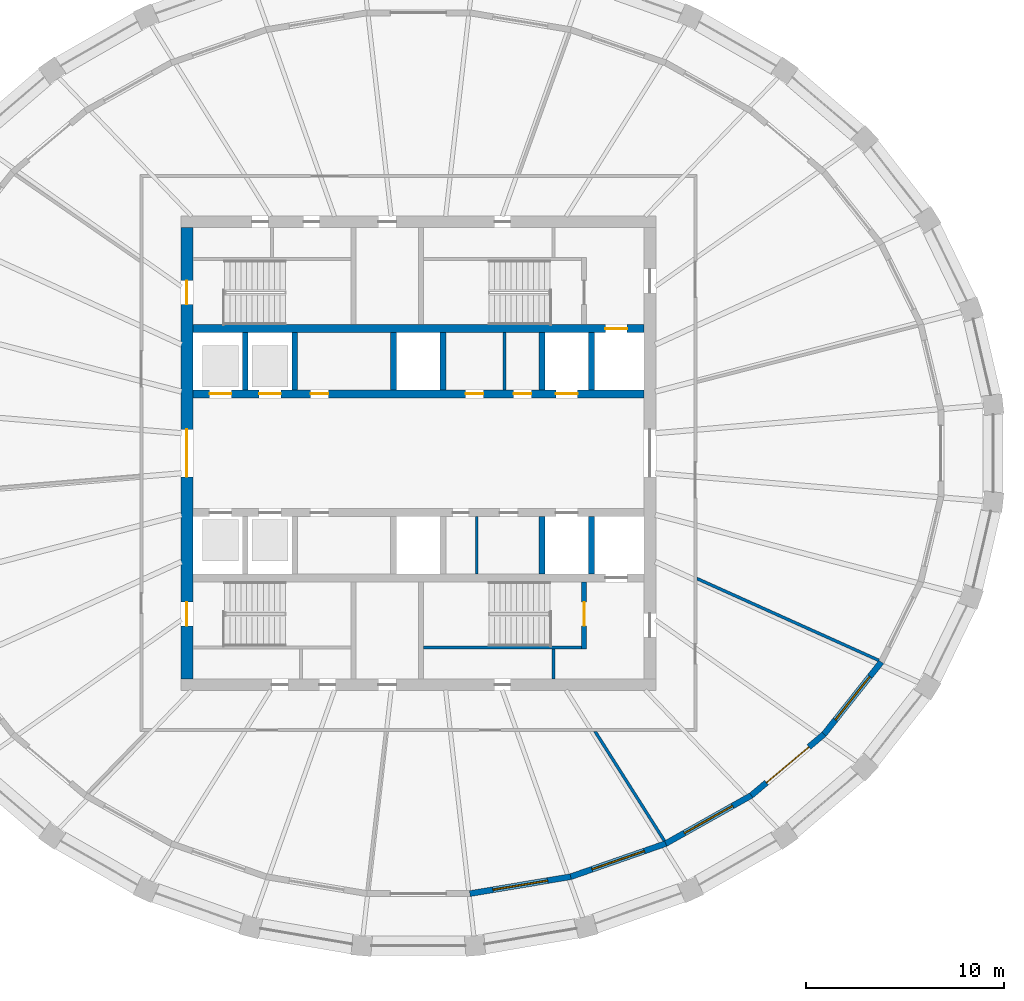
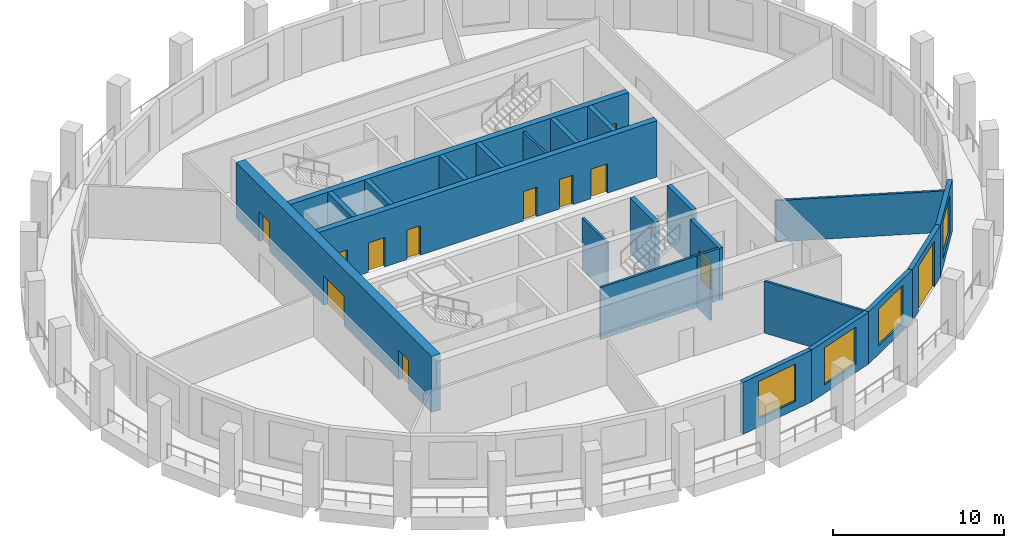
# One storey, part 4 of 10: 23 walls, 12 doors, 4 windows, 16 openings.
"""IFC4 building model written with IfcOpenShell, lengths in metres."""

from ifc_helpers import new_model, si_unit, direction, frame, frame_2d, origin, place, context, subcontext, project, spatial, polyline, rectangle, outline, extrude, material, layer, layer_set, type_object, element, fill, save


model = new_model("IFC4")

# Units and contexts
model_context = context("Model", 3, precision=1e-05, world=origin(), true_north=direction((0.0, 1.0)))
body_context = subcontext(model_context, "Body", "Model", "MODEL_VIEW")
ifc_project = project(units=[si_unit("LENGTHUNIT", "METRE"), si_unit("AREAUNIT", "SQUARE_METRE"), si_unit("VOLUMEUNIT", "CUBIC_METRE"), si_unit("PLANEANGLEUNIT", "RADIAN"), si_unit("MASSUNIT", "GRAM", prefix="KILO")], contexts=[model_context])

# Site, building, storey
site_placement = place(None, origin())
site = spatial("IfcSite", under=ifc_project, at=site_placement, CompositionType="ELEMENT")
building_placement = place(site_placement, origin())
building = spatial("IfcBuilding", under=site, at=building_placement, Name="Halqa Exchange Tower", CompositionType="ELEMENT")
storey_placement = place(building_placement, frame((0.0, 0.0, 292.300048828125)))
storey = spatial("IfcBuildingStorey", under=building, at=storey_placement, Name="L68", CompositionType="ELEMENT", Elevation=292.300048828125)

# Walls
ifc_material_1 = material(Name="Fire-rated gypsum board")
ifc_layer_1 = layer(ifc_material_1, 0.14990234375)
ifc_layer_set_1 = layer_set([ifc_layer_1], Name="Fire-rated gypsum board")
wall_type_1 = type_object("IfcWallType", Name="Fire partition EI 60 150", PredefinedType="PARTITIONING", material=ifc_layer_set_1)
wall_1_placement = place(storey_placement, frame((8.912109375, -14.034912109375, 0.0), z_axis=(0.0, 0.0, 1.0), x_axis=(0.535569757711, -0.844490991442, 0.0)))
element("IfcWall", 1, at=wall_1_placement, inside=storey, type_object=wall_type_1, Name="L68-PWL-009", PredefinedType="PARTITIONING", context=body_context, shape_type="SweptSolid", body=[
    extrude(outline(polyline([(0.0, -0.074951171875), (1.640869140625, -0.074951171875), (3.281494140625, -0.074951171875), (4.92236328125, -0.074951171875), (6.563232421875, -0.074951171875), (6.580810546875, 0.0009765625), (6.584716796875, 0.0732421875), (6.584716796875, 0.074951171875), (4.96240234375, 0.074951171875), (3.33984375, 0.074951171875), (1.717529296875, 0.074951171875), (0.094970703125, 0.074951171875), (0.0, -0.074951171875), (0.0, -0.074951171875)])), origin(), (0.0, 0.0, 1.0), 3.699951171875),
])
wall_2_placement = place(storey_placement, frame((14.044677734375, -6.320068359375, 0.0), z_axis=(0.0, 0.0, 1.0), x_axis=(0.912030730905, -0.410121867114, 0.0)))
element("IfcWall", 2, at=wall_2_placement, inside=storey, type_object=wall_type_1, Name="L68-PWL-011", PredefinedType="PARTITIONING", context=body_context, shape_type="SweptSolid", body=[
    extrude(outline(polyline([(0.06689453125, -0.074951171875), (1.73876953125, -0.074951171875), (3.410400390625, -0.074951171875), (5.082275390625, -0.074951171875), (6.75390625, -0.074951171875), (8.42578125, -0.074951171875), (10.097412109375, -0.074951171875), (10.115478515625, -0.003662109375), (10.1181640625, 0.072998046875), (10.1181640625, 0.074951171875), (8.431884765625, 0.074951171875), (6.745361328125, 0.074951171875), (5.05908203125, 0.074951171875), (3.372802734375, 0.074951171875), (1.686279296875, 0.074951171875), (0.0, 0.074951171875), (0.0, 0.073974609375), (0.06689453125, -0.074951171875)])), origin(), (0.0, 0.0, 1.0), 2.947021484375),
])
ifc_material_2 = material(Name="Gypsum board")
ifc_layer_2 = layer(ifc_material_2, 0.14990234375)
ifc_layer_set_2 = layer_set([ifc_layer_2], Name="Gypsum board")
wall_type_2 = type_object("IfcWallType", Name="Penthouse riser wall 150 gypsum", PredefinedType="PARTITIONING", material=ifc_layer_set_2)
wall_3_placement = place(storey_placement, frame((6.824951171875, -11.39990234375, 0.0), z_axis=(0.0, 0.0, 1.0), x_axis=(0.0, 1.0, 0.0)))
element("IfcWall", 3, at=wall_3_placement, inside=storey, type_object=wall_type_2, Name="Firefighting lobby west wall S", PredefinedType="PARTITIONING", context=body_context, shape_type="SweptSolid", body=[
    extrude(rectangle(XDim=1.5, YDim=0.14990234375, at=frame_2d((0.75, 0.0))), origin(), (0.0, 0.0, 1.0), 3.699951171875),
])
for number, where, z_axis, x_axis, name in (
    (4, (4.35009765625, 3.199951171875, 0.0), (0.0, 0.0, 1.0), (0.0, 1.0, 0.0), "Freed bay partition NE4.350"),
    (5, (2.949951171875, -6.10009765625, 0.0), (0.0, 0.0, 1.0), (0.0, 1.0, 0.0), "Freed bay partition SE2.950"),
):
    element("IfcWall", number, at=place(storey_placement, frame(where, z_axis=z_axis, x_axis=x_axis)), inside=storey, type_object=wall_type_2, Name=name, PredefinedType="PARTITIONING", context=body_context, shape_type="SweptSolid", body=[
        extrude(rectangle(XDim=2.900146484375, YDim=0.14990234375, at=frame_2d((1.4501953125, 0.0))), origin(), (0.0, 0.0, 1.0), 3.699951171875),
    ])
ifc_material_3 = material(Name="Concrete C60/75", Category="concrete")
ifc_layer_3 = layer(ifc_material_3, 0.300048828125)
ifc_layer_set_3 = layer_set([ifc_layer_3], Name="Concrete C60/75")
wall_type_3 = type_object("IfcWallType", Name="RC core wall 300", PredefinedType="SHEAR", material=ifc_layer_set_3)
for number, where, z_axis, x_axis, name in (
    (6, (-8.75, 3.199951171875, 0.0), (0.0, 0.0, 1.0), (0.0, 1.0, 0.0), "Shaft divider N1"),
    (7, (-6.25, 3.199951171875, 0.0), (0.0, 0.0, 1.0), (0.0, 1.0, 0.0), "Shaft divider N2"),
    (8, (-1.25, 3.199951171875, 0.0), (0.0, 0.0, 1.0), (0.0, 1.0, 0.0), "Shaft divider N4"),
    (9, (1.25, 3.199951171875, 0.0), (0.0, 0.0, 1.0), (0.0, 1.0, 0.0), "Shaft divider N5"),
    (10, (6.25, 3.199951171875, 0.0), (0.0, 0.0, 1.0), (0.0, 1.0, 0.0), "Shaft divider N7"),
    (11, (8.75, 3.199951171875, 0.0), (0.0, 0.0, 1.0), (0.0, 1.0, 0.0), "Shaft divider N8"),
    (12, (6.25, -6.10009765625, 0.0), (0.0, 0.0, 1.0), (0.0, 1.0, 0.0), "Shaft divider S7"),
    (13, (8.75, -6.10009765625, 0.0), (0.0, 0.0, 1.0), (0.0, 1.0, 0.0), "Shaft divider S8"),
):
    element("IfcWall", number, at=place(storey_placement, frame(where, z_axis=z_axis, x_axis=x_axis)), inside=storey, type_object=wall_type_3, Name=name, PredefinedType="SHEAR", context=body_context, shape_type="SweptSolid", body=[
        extrude(rectangle(XDim=2.900146484375, YDim=0.300048828125, at=frame_2d((1.4501953125, 0.0))), origin(), (0.0, 0.0, 1.0), 4.0),
    ])

# Wall, openings, doors
ifc_layer_4 = layer(ifc_material_3, 0.39990234375)
ifc_layer_set_4 = layer_set([ifc_layer_4], Name="Concrete C60/75")
wall_type_4 = type_object("IfcWallType", Name="RC core wall 400 C60/75", PredefinedType="SHEAR", material=ifc_layer_set_4)
wall_4_placement = place(storey_placement, frame((-11.39990234375, 3.0, 0.0), z_axis=(0.0, 0.0, 1.0), x_axis=(1.0, 0.0, 0.0)))
wall_4 = element("IfcWall", 14, at=wall_4_placement, inside=storey, type_object=wall_type_4, Name="Lift row front wall N", PredefinedType="SHEAR", context=body_context, shape_type="SweptSolid", body=[
    extrude(rectangle(XDim=22.7998046875, YDim=0.39990234375, at=frame_2d((11.39990234375, 0.0))), origin(), (0.0, 0.0, 1.0), 4.0),
])
opening_1_placement = place(wall_4_placement, frame((0.85009765625, 0.0, 0.0)))
opening_1 = element("IfcOpeningElement", 15, at=opening_1_placement, cuts=wall_4, Name="Opening LD-HR1-T21", PredefinedType="OPENING", context=body_context, shape_type="SweptSolid", body=[
    extrude(rectangle(XDim=1.10009765625, YDim=2.10009765625, at=frame_2d((0.550048828125, 1.050048828125))), frame((0.0, 0.2119140625, 0.0), z_axis=(0.0, -1.0, 0.0), x_axis=(1.0, 0.0, 0.0)), (0.0, 0.0, 1.0), 0.423828125),
])
opening_2_placement = place(wall_4_placement, frame((3.35009765625, 0.0, 0.0)))
opening_2 = element("IfcOpeningElement", 16, at=opening_2_placement, cuts=wall_4, Name="Opening LD-HR2-T21", PredefinedType="OPENING", context=body_context, shape_type="SweptSolid", body=[
    extrude(rectangle(XDim=1.10009765625, YDim=2.10009765625, at=frame_2d((0.550048828125, 1.050048828125))), frame((0.0, 0.2119140625, 0.0), z_axis=(0.0, -1.0, 0.0), x_axis=(1.0, 0.0, 0.0)), (0.0, 0.0, 1.0), 0.423828125),
])
opening_3_placement = place(wall_4_placement, frame((18.35009765625, 0.0, 0.0)))
opening_3 = element("IfcOpeningElement", 17, at=opening_3_placement, cuts=wall_4, Name="Opening LD-SV1-T21", PredefinedType="OPENING", context=body_context, shape_type="SweptSolid", body=[
    extrude(rectangle(XDim=1.10009765625, YDim=2.10009765625, at=frame_2d((0.550048828125, 1.050048828125))), frame((0.0, 0.2119140625, 0.0), z_axis=(0.0, -1.0, 0.0), x_axis=(1.0, 0.0, 0.0)), (0.0, 0.0, 1.0), 0.423828125),
])
opening_4_placement = place(wall_4_placement, frame((13.78759765625, 0.0, 0.0)))
opening_4 = element("IfcOpeningElement", 18, at=opening_4_placement, cuts=wall_4, Name="Opening T21-C25", PredefinedType="OPENING", context=body_context, shape_type="SweptSolid", body=[
    extrude(rectangle(XDim=0.89990234375, YDim=2.10009765625, at=frame_2d((0.449951171875, 1.050048828125))), frame((0.0, 0.2119140625, 0.0), z_axis=(0.0, -1.0, 0.0), x_axis=(1.0, 0.0, 0.0)), (0.0, 0.0, 1.0), 0.423828125),
])
opening_5_placement = place(wall_4_placement, frame((16.21240234375, 0.0, 0.0)))
opening_5 = element("IfcOpeningElement", 19, at=opening_5_placement, cuts=wall_4, Name="Opening T21-C26", PredefinedType="OPENING", context=body_context, shape_type="SweptSolid", body=[
    extrude(rectangle(XDim=0.89990234375, YDim=2.10009765625, at=frame_2d((0.449951171875, 1.050048828125))), frame((0.0, 0.2119140625, 0.0), z_axis=(0.0, -1.0, 0.0), x_axis=(1.0, 0.0, 0.0)), (0.0, 0.0, 1.0), 0.423828125),
])
opening_6_placement = place(wall_4_placement, frame((5.949951171875, 0.0, 0.0)))
opening_6 = element("IfcOpeningElement", 20, at=opening_6_placement, cuts=wall_4, Name="Opening T21-C27", PredefinedType="OPENING", context=body_context, shape_type="SweptSolid", body=[
    extrude(rectangle(XDim=0.89990234375, YDim=2.10009765625, at=frame_2d((0.449951171875, 1.050048828125))), frame((0.0, 0.2119140625, 0.0), z_axis=(0.0, -1.0, 0.0), x_axis=(1.0, 0.0, 0.0)), (0.0, 0.0, 1.0), 0.423828125),
])
ifc_material_4 = material(Name="Timber fire door leaf", Category="wood")
door_type_1 = type_object("IfcDoorType", Name="Core room door FD30 900 x 2100", OperationType="SINGLE_SWING_LEFT", PredefinedType="DOOR", material=ifc_material_4)
door_1_placement = place(opening_4_placement, origin())
door_1 = element("IfcDoor", 21, at=door_1_placement, inside=storey, type_object=door_type_1, Name="Core room door", OperationType="SINGLE_SWING_RIGHT", OverallHeight=2.10009765625, OverallWidth=0.89990234375, PredefinedType="DOOR", context=body_context, shape_type="SweptSolid", body=[
    extrude(rectangle(XDim=0.89990234375, YDim=2.10009765625, at=frame_2d((0.449951171875, 1.050048828125))), frame((0.0, 0.02490234375, 0.0), z_axis=(0.0, -1.0, 0.0), x_axis=(1.0, 0.0, 0.0)), (0.0, 0.0, 1.0), 0.050048828125),
])
fill(opening_4, door_1)
door_2_placement = place(opening_5_placement, origin())
door_2 = element("IfcDoor", 22, at=door_2_placement, inside=storey, type_object=door_type_1, Name="Core room door", OperationType="SINGLE_SWING_RIGHT", OverallHeight=2.10009765625, OverallWidth=0.89990234375, PredefinedType="DOOR", context=body_context, shape_type="SweptSolid", body=[
    extrude(rectangle(XDim=0.89990234375, YDim=2.10009765625, at=frame_2d((0.449951171875, 1.050048828125))), frame((0.0, 0.02490234375, 0.0), z_axis=(0.0, -1.0, 0.0), x_axis=(1.0, 0.0, 0.0)), (0.0, 0.0, 1.0), 0.050048828125),
])
fill(opening_5, door_2)
door_3_placement = place(opening_6_placement, origin())
door_3 = element("IfcDoor", 23, at=door_3_placement, inside=storey, type_object=door_type_1, Name="Core room door", OperationType="SINGLE_SWING_RIGHT", OverallHeight=2.10009765625, OverallWidth=0.89990234375, PredefinedType="DOOR", context=body_context, shape_type="SweptSolid", body=[
    extrude(rectangle(XDim=0.89990234375, YDim=2.10009765625, at=frame_2d((0.449951171875, 1.050048828125))), frame((0.0, 0.02490234375, 0.0), z_axis=(0.0, -1.0, 0.0), x_axis=(1.0, 0.0, 0.0)), (0.0, 0.0, 1.0), 0.050048828125),
])
fill(opening_6, door_3)
ifc_material_5 = material(Name="Stainless steel", Category="steel")
door_type_2 = type_object("IfcDoorType", Name="Lift landing door 1100 x 2100", OperationType="SLIDING_TO_LEFT", PredefinedType="DOOR", material=ifc_material_5)
door_4_placement = place(opening_1_placement, origin())
door_4 = element("IfcDoor", 24, at=door_4_placement, inside=storey, type_object=door_type_2, Name="Lift landing door HR1", OperationType="SLIDING_TO_LEFT", OverallHeight=2.10009765625, OverallWidth=1.10009765625, PredefinedType="DOOR", context=body_context, shape_type="SweptSolid", body=[
    extrude(rectangle(XDim=1.10009765625, YDim=2.10009765625, at=frame_2d((0.550048828125, 1.050048828125))), frame((0.0, 0.02490234375, 0.0), z_axis=(0.0, -1.0, 0.0), x_axis=(1.0, 0.0, 0.0)), (0.0, 0.0, 1.0), 0.050048828125),
])
fill(opening_1, door_4)
door_5_placement = place(opening_2_placement, origin())
door_5 = element("IfcDoor", 25, at=door_5_placement, inside=storey, type_object=door_type_2, Name="Lift landing door HR2", OperationType="SLIDING_TO_LEFT", OverallHeight=2.10009765625, OverallWidth=1.10009765625, PredefinedType="DOOR", context=body_context, shape_type="SweptSolid", body=[
    extrude(rectangle(XDim=1.10009765625, YDim=2.10009765625, at=frame_2d((0.550048828125, 1.050048828125))), frame((0.0, 0.02490234375, 0.0), z_axis=(0.0, -1.0, 0.0), x_axis=(1.0, 0.0, 0.0)), (0.0, 0.0, 1.0), 0.050048828125),
])
fill(opening_2, door_5)
door_6_placement = place(opening_3_placement, origin())
door_6 = element("IfcDoor", 26, at=door_6_placement, inside=storey, type_object=door_type_2, Name="Lift landing door SV1", OperationType="SLIDING_TO_LEFT", OverallHeight=2.10009765625, OverallWidth=1.10009765625, PredefinedType="DOOR", context=body_context, shape_type="SweptSolid", body=[
    extrude(rectangle(XDim=1.10009765625, YDim=2.10009765625, at=frame_2d((0.550048828125, 1.050048828125))), frame((0.0, 0.02490234375, 0.0), z_axis=(0.0, -1.0, 0.0), x_axis=(1.0, 0.0, 0.0)), (0.0, 0.0, 1.0), 0.050048828125),
])
fill(opening_3, door_6)

# Wall, opening, door
wall_5_placement = place(storey_placement, frame((-11.39990234375, 6.300048828125, 0.0), z_axis=(0.0, 0.0, 1.0), x_axis=(1.0, 0.0, 0.0)))
wall_5 = element("IfcWall", 27, at=wall_5_placement, inside=storey, type_object=wall_type_4, Name="Lift row back wall N", PredefinedType="SHEAR", context=body_context, shape_type="SweptSolid", body=[
    extrude(rectangle(XDim=22.7998046875, YDim=0.39990234375, at=frame_2d((11.39990234375, 0.0))), origin(), (0.0, 0.0, 1.0), 4.0),
])
opening_7_placement = place(wall_5_placement, frame((20.85009765625, 0.0, 0.0)))
opening_7 = element("IfcOpeningElement", 28, at=opening_7_placement, cuts=wall_5, Name="Opening LD-FF1-T21", PredefinedType="OPENING", context=body_context, shape_type="SweptSolid", body=[
    extrude(rectangle(XDim=1.10009765625, YDim=2.10009765625, at=frame_2d((0.550048828125, 1.050048828125))), frame((0.0, 0.2119140625, 0.0), z_axis=(0.0, -1.0, 0.0), x_axis=(1.0, 0.0, 0.0)), (0.0, 0.0, 1.0), 0.423828125),
])
door_7_placement = place(opening_7_placement, origin())
door_7 = element("IfcDoor", 29, at=door_7_placement, inside=storey, type_object=door_type_2, Name="Lift landing door FF1", OperationType="SLIDING_TO_LEFT", OverallHeight=2.10009765625, OverallWidth=1.10009765625, PredefinedType="DOOR", context=body_context, shape_type="SweptSolid", body=[
    extrude(rectangle(XDim=1.10009765625, YDim=2.10009765625, at=frame_2d((0.550048828125, 1.050048828125))), frame((0.0, 0.02490234375, 0.0), z_axis=(0.0, -1.0, 0.0), x_axis=(1.0, 0.0, 0.0)), (0.0, 0.0, 1.0), 0.050048828125),
])
fill(opening_7, door_7)

# Wall, openings, doors
ifc_layer_5 = layer(ifc_material_3, 0.60009765625)
ifc_layer_set_5 = layer_set([ifc_layer_5], Name="Concrete C60/75")
wall_type_5 = type_object("IfcWallType", Name="RC core wall 600 C60/75", PredefinedType="SHEAR", material=ifc_layer_set_5)
wall_6_placement = place(storey_placement, frame((-11.699951171875, -11.39990234375, 0.0), z_axis=(0.0, 0.0, 1.0), x_axis=(0.0, 1.0, 0.0)))
wall_6 = element("IfcWall", 30, at=wall_6_placement, inside=storey, type_object=wall_type_5, Name="Core wall west", PredefinedType="SHEAR", context=body_context, shape_type="SweptSolid", body=[
    extrude(rectangle(XDim=22.7998046875, YDim=0.60009765625, at=frame_2d((11.39990234375, 0.0))), origin(), (0.0, 0.0, 1.0), 4.0),
])
opening_8_placement = place(wall_6_placement, frame((10.199951171875, 0.0, 0.0)))
opening_8 = element("IfcOpeningElement", 31, at=opening_8_placement, cuts=wall_6, Name="Opening T21-C09", PredefinedType="OPENING", context=body_context, shape_type="SweptSolid", body=[
    extrude(rectangle(XDim=2.39990234375, YDim=2.10009765625, at=frame_2d((1.199951171875, 1.050048828125))), frame((0.0, 0.31201171875, 0.0), z_axis=(0.0, -1.0, 0.0), x_axis=(1.0, 0.0, 0.0)), (0.0, 0.0, 1.0), 0.6240234375),
])
opening_9_placement = place(wall_6_placement, frame((18.925048828125, 0.0, 0.0)))
opening_9 = element("IfcOpeningElement", 32, at=opening_9_placement, cuts=wall_6, Name="Opening T21-C11", PredefinedType="OPENING", context=body_context, shape_type="SweptSolid", body=[
    extrude(rectangle(XDim=1.199951171875, YDim=2.10009765625, at=frame_2d((0.60009765625, 1.050048828125))), frame((0.0, 0.31201171875, 0.0), z_axis=(0.0, -1.0, 0.0), x_axis=(1.0, 0.0, 0.0)), (0.0, 0.0, 1.0), 0.6240234375),
])
opening_10_placement = place(wall_6_placement, frame((2.675048828125, 0.0, 0.0)))
opening_10 = element("IfcOpeningElement", 33, at=opening_10_placement, cuts=wall_6, Name="Opening T21-C13", PredefinedType="OPENING", context=body_context, shape_type="SweptSolid", body=[
    extrude(rectangle(XDim=1.199951171875, YDim=2.10009765625, at=frame_2d((0.60009765625, 1.050048828125))), frame((0.0, 0.31201171875, 0.0), z_axis=(0.0, -1.0, 0.0), x_axis=(1.0, 0.0, 0.0)), (0.0, 0.0, 1.0), 0.6240234375),
])
ifc_material_6 = material(Name="Steel fire door leaf", Category="steel")
door_type_3 = type_object("IfcDoorType", Name="Lobby double door FD60 2400 x 2100", OperationType="DOUBLE_DOOR_SINGLE_SWING", PredefinedType="DOOR", material=ifc_material_6)
door_8_placement = place(opening_8_placement, frame((2.39990234375, 0.0, 0.0), z_axis=(0.0, 0.0, 1.0), x_axis=(-1.0, 0.0, 0.0)))
door_8 = element("IfcDoor", 34, at=door_8_placement, inside=storey, type_object=door_type_3, Name="Lift lobby double door", OperationType="DOUBLE_DOOR_SINGLE_SWING", OverallHeight=2.10009765625, OverallWidth=2.39990234375, PredefinedType="DOOR", context=body_context, shape_type="SweptSolid", body=[
    extrude(rectangle(XDim=2.39990234375, YDim=2.10009765625, at=frame_2d((1.199951171875, 1.050048828125))), frame((0.0, 0.02490234375, 0.0), z_axis=(0.0, -1.0, 0.0), x_axis=(1.0, 0.0, 0.0)), (0.0, 0.0, 1.0), 0.050048828125),
])
fill(opening_8, door_8)
door_type_4 = type_object("IfcDoorType", Name="Stair door FD90 1200 x 2100", OperationType="SINGLE_SWING_LEFT", PredefinedType="DOOR", material=ifc_material_6)
door_9_placement = place(opening_9_placement, frame((1.199951171875, 0.0, 0.0), z_axis=(0.0, 0.0, 1.0), x_axis=(-1.0, 0.0, 0.0)))
door_9 = element("IfcDoor", 35, at=door_9_placement, inside=storey, type_object=door_type_4, Name="Stair door ST1", OperationType="SINGLE_SWING_LEFT", OverallHeight=2.10009765625, OverallWidth=1.199951171875, PredefinedType="DOOR", context=body_context, shape_type="SweptSolid", body=[
    extrude(rectangle(XDim=1.199951171875, YDim=2.10009765625, at=frame_2d((0.60009765625, 1.050048828125))), frame((0.0, 0.02490234375, 0.0), z_axis=(0.0, -1.0, 0.0), x_axis=(1.0, 0.0, 0.0)), (0.0, 0.0, 1.0), 0.050048828125),
])
fill(opening_9, door_9)
door_10_placement = place(opening_10_placement, frame((1.199951171875, 0.0, 0.0), z_axis=(0.0, 0.0, 1.0), x_axis=(-1.0, 0.0, 0.0)))
door_10 = element("IfcDoor", 36, at=door_10_placement, inside=storey, type_object=door_type_4, Name="Stair door ST3", OperationType="SINGLE_SWING_LEFT", OverallHeight=2.10009765625, OverallWidth=1.199951171875, PredefinedType="DOOR", context=body_context, shape_type="SweptSolid", body=[
    extrude(rectangle(XDim=1.199951171875, YDim=2.10009765625, at=frame_2d((0.60009765625, 1.050048828125))), frame((0.0, 0.02490234375, 0.0), z_axis=(0.0, -1.0, 0.0), x_axis=(1.0, 0.0, 0.0)), (0.0, 0.0, 1.0), 0.050048828125),
])
fill(opening_10, door_10)

# Wall
ifc_material_7 = material(Name="Concrete C30/37", Category="concrete")
ifc_layer_6 = layer(ifc_material_7, 0.14990234375)
ifc_layer_set_6 = layer_set([ifc_layer_6], Name="Concrete C30/37")
wall_type_6 = type_object("IfcWallType", Name="RC stair wall 150 C30/37", PredefinedType="SHEAR", material=ifc_layer_set_6)
wall_7_placement = place(storey_placement, frame((0.25, -9.824951171875, 0.0), z_axis=(0.0, 0.0, 1.0), x_axis=(1.0, 0.0, 0.0)))
element("IfcWall", 37, at=wall_7_placement, inside=storey, type_object=wall_type_6, Name="Stair ST2 north wall S", PredefinedType="SHEAR", context=body_context, shape_type="SweptSolid", body=[
    extrude(rectangle(XDim=8.0, YDim=0.14990234375, at=frame_2d((4.0, 0.0))), origin(), (0.0, 0.0, 1.0), 3.699951171875),
])

# Wall, opening, door
ifc_layer_7 = layer(ifc_material_7, 0.25)
ifc_layer_set_7 = layer_set([ifc_layer_7], Name="Concrete C30/37")
wall_type_7 = type_object("IfcWallType", Name="RC stair wall 250 C30/37", PredefinedType="SHEAR", material=ifc_layer_set_7)
wall_8_placement = place(storey_placement, frame((8.375, -9.89990234375, 0.0), z_axis=(0.0, 0.0, 1.0), x_axis=(0.0, 1.0, 0.0)))
wall_8 = element("IfcWall", 38, at=wall_8_placement, inside=storey, type_object=wall_type_7, Name="Stair ST2 east wall S", PredefinedType="SHEAR", context=body_context, shape_type="SweptSolid", body=[
    extrude(rectangle(XDim=3.39990234375, YDim=0.25, at=frame_2d((1.699951171875, 0.0))), origin(), (0.0, 0.0, 1.0), 3.699951171875),
])
opening_11_placement = place(wall_8_placement, frame((1.175048828125, 0.0, 0.0)))
opening_11 = element("IfcOpeningElement", 39, at=opening_11_placement, cuts=wall_8, Name="Opening T21-C14", PredefinedType="OPENING", context=body_context, shape_type="SweptSolid", body=[
    extrude(rectangle(XDim=1.199951171875, YDim=2.10009765625, at=frame_2d((0.60009765625, 1.050048828125))), frame((0.0, 0.136962890625, 0.0), z_axis=(0.0, -1.0, 0.0), x_axis=(1.0, 0.0, 0.0)), (0.0, 0.0, 1.0), 0.27392578125),
])
door_11_placement = place(opening_11_placement, origin())
door_11 = element("IfcDoor", 40, at=door_11_placement, inside=storey, type_object=door_type_4, Name="Stair door ST4", OperationType="SINGLE_SWING_LEFT", OverallHeight=2.10009765625, OverallWidth=1.199951171875, PredefinedType="DOOR", context=body_context, shape_type="SweptSolid", body=[
    extrude(rectangle(XDim=1.199951171875, YDim=2.10009765625, at=frame_2d((0.60009765625, 1.050048828125))), frame((0.0, 0.02490234375, 0.0), z_axis=(0.0, -1.0, 0.0), x_axis=(1.0, 0.0, 0.0)), (0.0, 0.0, 1.0), 0.050048828125),
])
fill(opening_11, door_11)

# Wall, opening, window
ifc_material_8 = material(Name="Limestone cladding", Category="masonry")
ifc_layer_8 = layer(ifc_material_8, 0.0400390625)
ifc_material_9 = material(Name="Ventilated cavity")
ifc_layer_9 = layer(ifc_material_9, 0.030029296875, ventilated=True)
ifc_material_10 = material(Name="Mineral wool insulation")
ifc_layer_10 = layer(ifc_material_10, 0.10009765625)
ifc_layer_11 = layer(ifc_material_7, 0.10009765625)
ifc_material_11 = material(Name="Internal plaster")
ifc_layer_12 = layer(ifc_material_11, 0.030029296875)
ifc_layer_set_8 = layer_set([ifc_layer_8, ifc_layer_9, ifc_layer_10, ifc_layer_11, ifc_layer_12], Name="Stone-faced insulated wall 300")
wall_type_8 = type_object("IfcWallType", Name="Stone-faced insulated wall 300", PredefinedType="STANDARD", material=ifc_layer_set_8)
wall_9_placement = place(storey_placement, frame((2.5986328125, -22.258056640625, 0.0), z_axis=(0.0, 0.0, 1.0), x_axis=(0.986263399459, 0.165180225475, 0.0)))
wall_9 = element("IfcWall", 41, at=wall_9_placement, inside=storey, type_object=wall_type_8, Name="Glass-line wall 25", PredefinedType="STANDARD", context=body_context, shape_type="SweptSolid", body=[
    extrude(outline(polyline([(-0.012451171875, -0.14990234375), (5.181396484375, -0.14990234375), (5.156005859375, 0.14990234375), (0.012451171875, 0.14990234375), (-0.012451171875, -0.14990234375)])), origin(), (0.0, 0.0, 1.0), 3.699951171875),
])
opening_12_placement = place(wall_9_placement, frame((1.184326171875, 0.0, 0.60009765625)))
opening_12 = element("IfcOpeningElement", 42, at=opening_12_placement, cuts=wall_9, Name="Opening W-F4-25", PredefinedType="OPENING", context=body_context, shape_type="SweptSolid", body=[
    extrude(rectangle(XDim=2.800048828125, YDim=2.64990234375, at=frame_2d((1.39990234375, 1.324951171875))), frame((0.0, 0.162109375, 0.0), z_axis=(0.0, -1.0, 0.0), x_axis=(1.0, 0.0, 0.0)), (0.0, 0.0, 1.0), 0.323974609375),
])
ifc_material_12 = material(Name="Clear low-emissivity glass in aluminium frame", Category="aluminium")
window_type = type_object("IfcWindowType", Name="Fixed clear glazed window 2800 x 2650", PartitioningType="DOUBLE_PANEL_VERTICAL", PredefinedType="WINDOW", material=ifc_material_12)
window_1_placement = place(opening_12_placement, origin())
window_1 = element("IfcWindow", 43, at=window_1_placement, inside=storey, type_object=window_type, Name="Window 4", OverallHeight=2.64990234375, OverallWidth=2.800048828125, PartitioningType="DOUBLE_PANEL_VERTICAL", PredefinedType="WINDOW", context=body_context, shape_type="SweptSolid", body=[
    extrude(rectangle(XDim=2.800048828125, YDim=2.64990234375, at=frame_2d((1.39990234375, 1.324951171875))), frame((0.0, 0.030029296875, 0.0), z_axis=(0.0, -1.0, 0.0), x_axis=(1.0, 0.0, 0.0)), (0.0, 0.0, 1.0), 0.06005859375),
])
fill(opening_12, window_1)

wall_10_placement = place(storey_placement, frame((7.6962890625, -21.404296875, 0.0), z_axis=(0.0, 0.0, 1.0), x_axis=(0.944230376095, 0.329285585564, 0.0)))
wall_10 = element("IfcWall", 44, at=wall_10_placement, inside=storey, type_object=wall_type_8, Name="Glass-line wall 26", PredefinedType="STANDARD", context=body_context, shape_type="SweptSolid", body=[
    extrude(outline(polyline([(-0.0126953125, -0.14990234375), (5.100341796875, -0.14990234375), (5.073486328125, 0.14990234375), (0.0126953125, 0.14990234375), (-0.0126953125, -0.14990234375)])), origin(), (0.0, 0.0, 1.0), 3.699951171875),
])
opening_13_placement = place(wall_10_placement, frame((1.143310546875, 0.0, 0.60009765625)))
opening_13 = element("IfcOpeningElement", 45, at=opening_13_placement, cuts=wall_10, Name="Opening W-F4-26", PredefinedType="OPENING", context=body_context, shape_type="SweptSolid", body=[
    extrude(rectangle(XDim=2.800048828125, YDim=2.64990234375, at=frame_2d((1.39990234375, 1.324951171875))), frame((0.0, 0.162109375, 0.0), z_axis=(0.0, -1.0, 0.0), x_axis=(1.0, 0.0, 0.0)), (0.0, 0.0, 1.0), 0.323974609375),
])
window_2_placement = place(opening_13_placement, origin())
window_2 = element("IfcWindow", 46, at=window_2_placement, inside=storey, type_object=window_type, Name="Window 4", OverallHeight=2.64990234375, OverallWidth=2.800048828125, PartitioningType="DOUBLE_PANEL_VERTICAL", PredefinedType="WINDOW", context=body_context, shape_type="SweptSolid", body=[
    extrude(rectangle(XDim=2.800048828125, YDim=2.64990234375, at=frame_2d((1.39990234375, 1.324951171875))), frame((0.0, 0.030029296875, 0.0), z_axis=(0.0, -1.0, 0.0), x_axis=(1.0, 0.0, 0.0)), (0.0, 0.0, 1.0), 0.06005859375),
])
fill(opening_13, window_2)

wall_11_placement = place(storey_placement, frame((12.49951171875, -19.729248046875, 0.0), z_axis=(0.0, 0.0, 1.0), x_axis=(0.871512454536, 0.490373369575, 0.0)))
wall_11 = element("IfcWall", 47, at=wall_11_placement, inside=storey, type_object=wall_type_8, Name="Glass-line wall 27", PredefinedType="STANDARD", context=body_context, shape_type="SweptSolid", body=[
    extrude(outline(polyline([(-0.013427734375, -0.14990234375), (4.975830078125, -0.14990234375), (4.947509765625, 0.14990234375), (0.013427734375, 0.14990234375), (-0.013427734375, -0.14990234375)])), origin(), (0.0, 0.0, 1.0), 3.699951171875),
])
opening_14_placement = place(wall_11_placement, frame((1.080810546875, 0.0, 0.60009765625)))
opening_14 = element("IfcOpeningElement", 48, at=opening_14_placement, cuts=wall_11, Name="Opening W-F4-27", PredefinedType="OPENING", context=body_context, shape_type="SweptSolid", body=[
    extrude(rectangle(XDim=2.800048828125, YDim=2.64990234375, at=frame_2d((1.39990234375, 1.324951171875))), frame((0.0, 0.162109375, 0.0), z_axis=(0.0, -1.0, 0.0), x_axis=(1.0, 0.0, 0.0)), (0.0, 0.0, 1.0), 0.323974609375),
])
window_3_placement = place(opening_14_placement, origin())
window_3 = element("IfcWindow", 49, at=window_3_placement, inside=storey, type_object=window_type, Name="Window 4", OverallHeight=2.64990234375, OverallWidth=2.800048828125, PartitioningType="DOUBLE_PANEL_VERTICAL", PredefinedType="WINDOW", context=body_context, shape_type="SweptSolid", body=[
    extrude(rectangle(XDim=2.800048828125, YDim=2.64990234375, at=frame_2d((1.39990234375, 1.324951171875))), frame((0.0, 0.030029296875, 0.0), z_axis=(0.0, -1.0, 0.0), x_axis=(1.0, 0.0, 0.0)), (0.0, 0.0, 1.0), 0.06005859375),
])
fill(opening_14, window_3)

# Wall, opening, door
wall_12_placement = place(storey_placement, frame((16.82373046875, -17.296142578125, 0.0), z_axis=(0.0, 0.0, 1.0), x_axis=(0.764966473721, 0.644070100286, 0.0)))
wall_12 = element("IfcWall", 50, at=wall_12_placement, inside=storey, type_object=wall_type_8, Name="Glass-line wall 28", PredefinedType="STANDARD", context=body_context, shape_type="SweptSolid", body=[
    extrude(outline(polyline([(-0.01416015625, -0.14990234375), (4.825439453125, -0.14990234375), (4.795166015625, 0.14990234375), (0.01416015625, 0.14990234375), (-0.01416015625, -0.14990234375)])), origin(), (0.0, 0.0, 1.0), 3.699951171875),
])
opening_15_placement = place(wall_12_placement, frame((1.005126953125, 0.0, 0.0)))
opening_15 = element("IfcOpeningElement", 51, at=opening_15_placement, cuts=wall_12, Name="Opening LG-F4-07", PredefinedType="OPENING", context=body_context, shape_type="SweptSolid", body=[
    extrude(rectangle(XDim=2.800048828125, YDim=3.25, at=frame_2d((1.39990234375, 1.625))), frame((0.0, 0.162109375, 0.0), z_axis=(0.0, -1.0, 0.0), x_axis=(1.0, 0.0, 0.0)), (0.0, 0.0, 1.0), 0.323974609375),
])
door_type_5 = type_object("IfcDoorType", Name="Glazed sliding loggia door 2800 x 3250", OperationType="DOUBLE_DOOR_SLIDING", PredefinedType="DOOR", material=ifc_material_12)
door_12_placement = place(opening_15_placement, origin())
door_12 = element("IfcDoor", 52, at=door_12_placement, inside=storey, type_object=door_type_5, Name="Loggia door 7", OperationType="DOUBLE_DOOR_SLIDING", OverallHeight=3.25, OverallWidth=2.800048828125, PredefinedType="DOOR", context=body_context, shape_type="SweptSolid", body=[
    extrude(rectangle(XDim=2.800048828125, YDim=3.25, at=frame_2d((1.39990234375, 1.625))), frame((0.0, 0.02490234375, 0.0), z_axis=(0.0, -1.0, 0.0), x_axis=(1.0, 0.0, 0.0)), (0.0, 0.0, 1.0), 0.050048828125),
])
fill(opening_15, door_12)

# Wall, opening, window
wall_13_placement = place(storey_placement, frame((20.50341796875, -14.197998046875, 0.0), z_axis=(0.0, 0.0, 1.0), x_axis=(0.621625671247, 0.783314448256, 0.0)))
wall_13 = element("IfcWall", 53, at=wall_13_placement, inside=storey, type_object=wall_type_8, Name="Glass-line wall 29", PredefinedType="STANDARD", context=body_context, shape_type="SweptSolid", body=[
    extrude(outline(polyline([(-0.01513671875, -0.14990234375), (4.669677734375, -0.14990234375), (4.637451171875, 0.14990234375), (0.01513671875, 0.14990234375), (-0.01513671875, -0.14990234375)])), origin(), (0.0, 0.0, 1.0), 3.699951171875),
])
opening_16_placement = place(wall_13_placement, frame((0.927001953125, 0.0, 0.60009765625)))
opening_16 = element("IfcOpeningElement", 54, at=opening_16_placement, cuts=wall_13, Name="Opening W-F4-29", PredefinedType="OPENING", context=body_context, shape_type="SweptSolid", body=[
    extrude(rectangle(XDim=2.800048828125, YDim=2.64990234375, at=frame_2d((1.39990234375, 1.324951171875))), frame((0.0, 0.162109375, 0.0), z_axis=(0.0, -1.0, 0.0), x_axis=(1.0, 0.0, 0.0)), (0.0, 0.0, 1.0), 0.323974609375),
])
window_4_placement = place(opening_16_placement, origin())
window_4 = element("IfcWindow", 55, at=window_4_placement, inside=storey, type_object=window_type, Name="Window 4", OverallHeight=2.64990234375, OverallWidth=2.800048828125, PartitioningType="DOUBLE_PANEL_VERTICAL", PredefinedType="WINDOW", context=body_context, shape_type="SweptSolid", body=[
    extrude(rectangle(XDim=2.800048828125, YDim=2.64990234375, at=frame_2d((1.39990234375, 1.324951171875))), frame((0.0, 0.030029296875, 0.0), z_axis=(0.0, -1.0, 0.0), x_axis=(1.0, 0.0, 0.0)), (0.0, 0.0, 1.0), 0.06005859375),
])
fill(opening_16, window_4)

save(model, "model.ifc")
